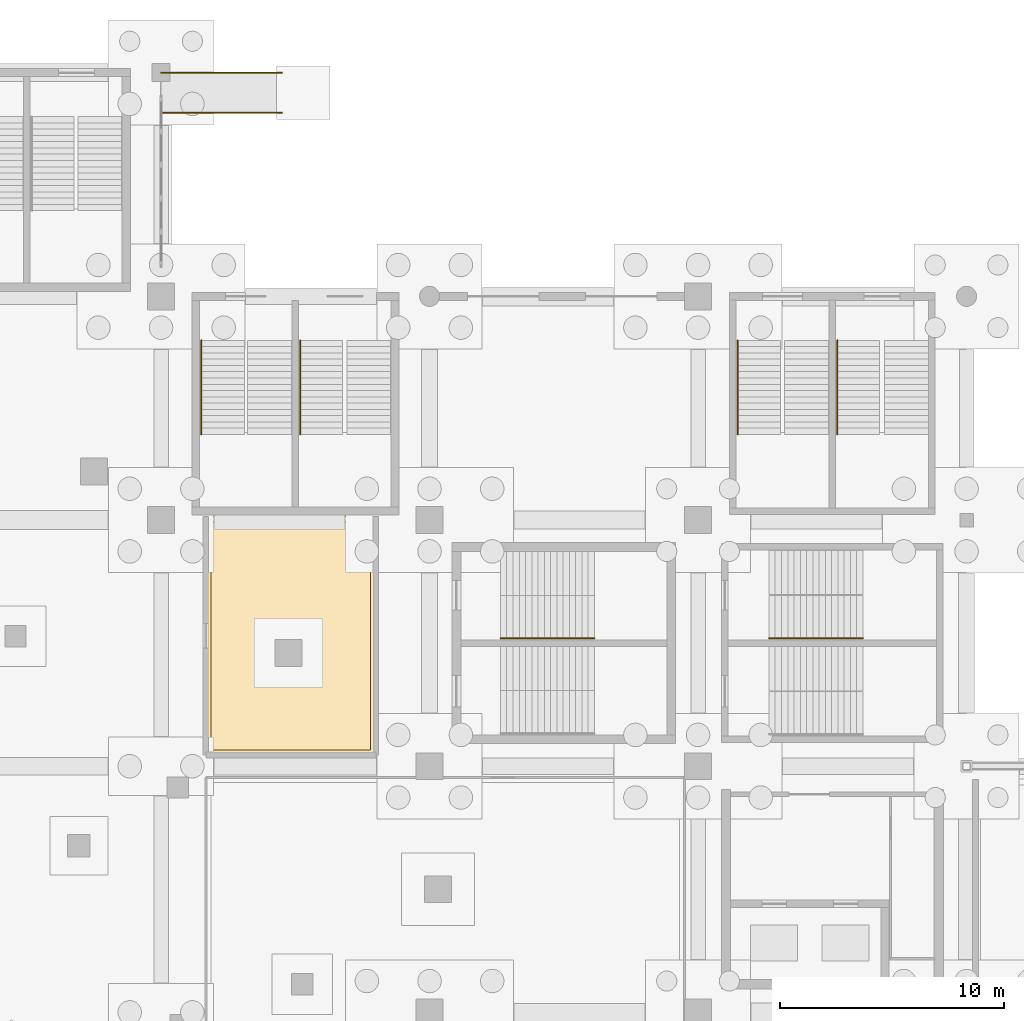
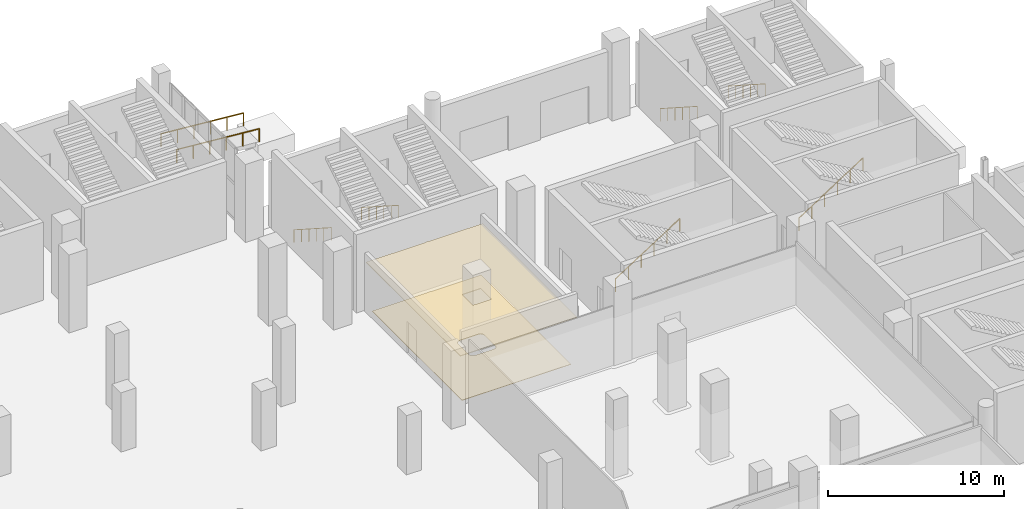
# One storey, part 69 of 70: 8 railings, 2 coverings.
"""IFC4 building model written with IfcOpenShell, lengths in metres."""

from ifc_helpers import new_model, si_unit, direction, frame, origin, origin_2d, place, context, subcontext, project, spatial, polyline, circle, outline, extrude, material, layer, layer_set, type_object, element, save


model = new_model("IFC4")

# Units and contexts
model_context = context("Model", 3, precision=1e-05, world=origin(), true_north=direction((0.0, 1.0)))
body_context = subcontext(model_context, "Body", "Model", "MODEL_VIEW")
ifc_project = project(units=[si_unit("LENGTHUNIT", "METRE"), si_unit("AREAUNIT", "SQUARE_METRE"), si_unit("VOLUMEUNIT", "CUBIC_METRE"), si_unit("PLANEANGLEUNIT", "RADIAN"), si_unit("MASSUNIT", "GRAM", prefix="KILO")], contexts=[model_context])

# Site, building, storey
site_placement = place(None, origin())
site = spatial("IfcSite", under=ifc_project, at=site_placement, CompositionType="ELEMENT")
building_placement = place(site_placement, origin())
building = spatial("IfcBuilding", under=site, at=building_placement, Name="Brinegate Civic Arena", CompositionType="ELEMENT")
storey_placement = place(building_placement, origin())
storey = spatial("IfcBuildingStorey", under=building, at=storey_placement, Name="L00", CompositionType="ELEMENT", Elevation=0.0)

# Coverings
ifc_material_1 = material(Name="Acoustic perforated aluminium ceiling", Category="aluminium")
ifc_layer_1 = layer(ifc_material_1, 0.044921875, Name="Acoustic perforated aluminium ceiling")
ifc_layer_set_1 = layer_set([ifc_layer_1], Name="Acoustic perforated aluminium ceiling")
covering_type_1 = type_object("IfcCoveringType", Name="CEILING-BAFFLE-45", PredefinedType="CEILING", material=ifc_layer_set_1)
covering_1_placement = place(storey_placement, frame((0.0, 0.0, 3.304931640625)))
element("IfcCovering", 1, at=covering_1_placement, inside=storey, type_object=covering_type_1, Name="Acoustic Ceiling L00-006", PredefinedType="CEILING", context=body_context, shape_type="SweptSolid", body=[
    extrude(outline(polyline([(141.6201171875, 93.49609375), (141.618896484375, 93.493896484375), (141.617919921875, 93.491943359375), (141.617919921875, 93.490966796875), (141.616943359375, 93.489013671875), (141.614990234375, 93.487060546875), (141.614013671875, 93.486083984375), (141.613037109375, 93.485107421875), (141.611083984375, 93.48291015625), (141.60888671875, 93.48193359375), (141.60791015625, 93.48193359375), (141.60595703125, 93.48095703125), (141.60400390625, 93.47998046875), (141.60205078125, 93.47998046875), (141.60009765625, 93.47998046875), (134.0, 93.47998046875), (133.998046875, 93.47998046875), (133.99609375, 93.47998046875), (133.993896484375, 93.48095703125), (133.991943359375, 93.48193359375), (133.990966796875, 93.48193359375), (133.989013671875, 93.48291015625), (133.987060546875, 93.485107421875), (133.986083984375, 93.486083984375), (133.985107421875, 93.487060546875), (133.98291015625, 93.489013671875), (133.98193359375, 93.490966796875), (133.98193359375, 93.491943359375), (133.98095703125, 93.493896484375), (133.97998046875, 93.49609375), (133.97998046875, 93.498046875), (133.97998046875, 93.5), (133.97998046875, 104.14990234375), (133.97998046875, 104.152099609375), (133.97998046875, 104.154052734375), (133.98095703125, 104.156005859375), (133.98193359375, 104.157958984375), (133.98193359375, 104.158935546875), (133.98291015625, 104.160888671875), (133.985107421875, 104.1630859375), (133.986083984375, 104.1640625), (133.987060546875, 104.1650390625), (133.989013671875, 104.1669921875), (133.990966796875, 104.16796875), (133.991943359375, 104.16796875), (133.993896484375, 104.1689453125), (133.99609375, 104.169921875), (133.998046875, 104.169921875), (134.0, 104.169921875), (137.85498046875, 104.169921875), (137.8779296875, 104.1708984375), (137.922119140625, 104.179931640625), (137.964111328125, 104.197998046875), (137.989013671875, 104.214111328125), (137.990966796875, 104.215087890625), (137.992919921875, 104.216064453125), (137.9951171875, 104.216064453125), (137.9970703125, 104.217041015625), (137.9990234375, 104.217041015625), (138.0009765625, 104.217041015625), (138.0029296875, 104.217041015625), (138.0048828125, 104.216064453125), (138.007080078125, 104.216064453125), (138.009033203125, 104.215087890625), (138.010986328125, 104.214111328125), (138.035888671875, 104.197998046875), (138.077880859375, 104.179931640625), (138.1220703125, 104.1708984375), (138.14501953125, 104.169921875), (141.60009765625, 104.169921875), (141.60205078125, 104.169921875), (141.60400390625, 104.169921875), (141.60595703125, 104.1689453125), (141.60791015625, 104.16796875), (141.60888671875, 104.16796875), (141.611083984375, 104.1669921875), (141.613037109375, 104.1650390625), (141.614013671875, 104.1640625), (141.614990234375, 104.1630859375), (141.616943359375, 104.160888671875), (141.617919921875, 104.158935546875), (141.617919921875, 104.157958984375), (141.618896484375, 104.156005859375), (141.6201171875, 104.154052734375), (141.6201171875, 104.152099609375), (141.6201171875, 104.14990234375), (141.6201171875, 93.5), (141.6201171875, 93.498046875), (141.6201171875, 93.49609375)]), holes=[polyline([(138.30810546875, 98.672119140625), (137.087890625, 98.672119140625), (137.087890625, 97.451904296875), (138.30810546875, 97.451904296875), (138.30810546875, 98.672119140625)])]), origin(), (0.0, 0.0, 1.0), 0.045166015625),
])
ifc_material_2 = material(Name="Polished coral terrazzo flooring")
ifc_layer_2 = layer(ifc_material_2, 0.028076171875, Name="Polished coral terrazzo flooring")
ifc_layer_set_2 = layer_set([ifc_layer_2], Name="Polished coral terrazzo flooring")
covering_type_2 = type_object("IfcCoveringType", Name="FLOORING-TERRAZZO-28", PredefinedType="FLOORING", material=ifc_layer_set_2)
covering_2_placement = place(storey_placement, origin())
element("IfcCovering", 2, at=covering_2_placement, inside=storey, type_object=covering_type_2, Name="Flooring L00-006", PredefinedType="FLOORING", context=body_context, shape_type="SweptSolid", body=[
    extrude(outline(polyline([(134.22998046875, 103.919921875), (137.85498046875, 103.919921875), (137.864990234375, 103.919921875), (137.887939453125, 103.9208984375), (137.907958984375, 103.923095703125), (137.928955078125, 103.926025390625), (137.972900390625, 103.93505859375), (137.99609375, 103.94189453125), (138.0, 103.943115234375), (138.00390625, 103.94189453125), (138.027099609375, 103.93505859375), (138.071044921875, 103.926025390625), (138.092041015625, 103.923095703125), (138.112060546875, 103.9208984375), (138.135009765625, 103.919921875), (138.14501953125, 103.919921875), (141.3701171875, 103.919921875), (141.3701171875, 93.72998046875), (134.22998046875, 93.72998046875), (134.22998046875, 103.919921875)]), holes=[polyline([(138.55810546875, 98.672119140625), (138.556884765625, 98.697021484375), (138.552978515625, 98.720947265625), (138.547119140625, 98.7451171875), (138.5390625, 98.76806640625), (138.528076171875, 98.7900390625), (138.51611328125, 98.81103515625), (138.5009765625, 98.8310546875), (138.485107421875, 98.84912109375), (138.467041015625, 98.864990234375), (138.447021484375, 98.8798828125), (138.426025390625, 98.89208984375), (138.404052734375, 98.903076171875), (138.381103515625, 98.910888671875), (138.35693359375, 98.9169921875), (138.3330078125, 98.9208984375), (138.30810546875, 98.922119140625), (137.087890625, 98.922119140625), (137.06298828125, 98.9208984375), (137.0390625, 98.9169921875), (137.014892578125, 98.910888671875), (136.991943359375, 98.903076171875), (136.969970703125, 98.89208984375), (136.948974609375, 98.8798828125), (136.928955078125, 98.864990234375), (136.910888671875, 98.84912109375), (136.89501953125, 98.8310546875), (136.8798828125, 98.81103515625), (136.867919921875, 98.7900390625), (136.85693359375, 98.76806640625), (136.84912109375, 98.7451171875), (136.843017578125, 98.720947265625), (136.839111328125, 98.697021484375), (136.837890625, 98.672119140625), (136.837890625, 97.451904296875), (136.839111328125, 97.427001953125), (136.843017578125, 97.403076171875), (136.84912109375, 97.37890625), (136.85693359375, 97.35595703125), (136.867919921875, 97.333984375), (136.8798828125, 97.31298828125), (136.89501953125, 97.29296875), (136.910888671875, 97.27490234375), (136.928955078125, 97.259033203125), (136.948974609375, 97.243896484375), (136.969970703125, 97.23193359375), (136.991943359375, 97.220947265625), (137.014892578125, 97.212890625), (137.0390625, 97.20703125), (137.06298828125, 97.202880859375), (137.087890625, 97.201904296875), (138.30810546875, 97.201904296875), (138.3330078125, 97.202880859375), (138.35693359375, 97.20703125), (138.381103515625, 97.212890625), (138.404052734375, 97.220947265625), (138.426025390625, 97.23193359375), (138.447021484375, 97.243896484375), (138.467041015625, 97.259033203125), (138.485107421875, 97.27490234375), (138.5009765625, 97.29296875), (138.51611328125, 97.31298828125), (138.528076171875, 97.333984375), (138.5390625, 97.35595703125), (138.547119140625, 97.37890625), (138.552978515625, 97.403076171875), (138.556884765625, 97.427001953125), (138.55810546875, 97.451904296875), (138.55810546875, 98.672119140625)])]), origin(), (0.0, 0.0, 1.0), 0.028076171875),
])

# Railings
ifc_material_3 = material(Name="Architectural stainless steel balustrade", Category="steel")
railing_type_1 = type_object("IfcRailingType", Name="RAIL-EXT-HANDRAIL-920", PredefinedType="HANDRAIL", material=ifc_material_3)
for number, where, name in (
    (3, (137.39990234375, 124.0, -0.449951171875), "Accessible Ramp Handrail RP-06-A"),
    (4, (137.39990234375, 122.199951171875, -0.449951171875), "Accessible Ramp Handrail RP-06-B"),
):
    element("IfcRailing", number, at=place(storey_placement, frame(where)), inside=storey, type_object=railing_type_1, Name=name, PredefinedType="HANDRAIL", context=body_context, shape_type="SweptSolid", body=[
        extrude(circle(Radius=0.02392578125, at=origin_2d()), frame((-0.00146484375, 0.0, 0.89599609375), z_axis=(-0.996546379678, 0.0, 0.083038022323), x_axis=(0.0, -1.0, 0.0)), (0.0, 0.0, 1.0), 5.41552734375),
        extrude(circle(Radius=0.02099609375, at=origin_2d()), origin(), (0.0, 0.0, 1.0), 0.869873046875),
        extrude(circle(Radius=0.02099609375, at=origin_2d()), frame((-1.080078125, 0.0, 0.090087890625)), (0.0, 0.0, 1.0), 0.869873046875),
        extrude(circle(Radius=0.02099609375, at=origin_2d()), frame((-2.159912109375, 0.0, 0.179931640625)), (0.0, 0.0, 1.0), 0.869873046875),
        extrude(circle(Radius=0.02099609375, at=origin_2d()), frame((-3.239990234375, 0.0, 0.27001953125)), (0.0, 0.0, 1.0), 0.869873046875),
        extrude(circle(Radius=0.02099609375, at=origin_2d()), frame((-4.31982421875, 0.0, 0.35986328125)), (0.0, 0.0, 1.0), 0.869873046875),
        extrude(circle(Radius=0.02099609375, at=origin_2d()), frame((-5.39990234375, 0.0, 0.449951171875)), (0.0, 0.0, 1.0), 0.869873046875),
    ])
railing_type_2 = type_object("IfcRailingType", Name="RAIL-STAIR-HANDRAIL-900", PredefinedType="HANDRAIL", material=ifc_material_3)
for number, where, name in (
    (5, (157.77490234375, 107.830078125, 2.699951171875), "Stair Pitch Handrail ST-05A L00"),
    (6, (162.22509765625, 107.830078125, 2.699951171875), "Stair Pitch Handrail ST-05B L00"),
    (7, (133.804931640625, 107.830078125, 2.699951171875), "Stair Pitch Handrail ST-13A L00"),
    (8, (138.22509765625, 107.830078125, 2.699951171875), "Stair Pitch Handrail ST-13B L00"),
):
    element("IfcRailing", number, at=place(storey_placement, frame(where)), inside=storey, type_object=railing_type_2, Name=name, PredefinedType="HANDRAIL", context=body_context, shape_type="SweptSolid", body=[
        extrude(circle(Radius=0.02392578125, at=origin_2d()), frame((0.0, 0.001220703125, 0.875), z_axis=(0.0, 0.841180064094, -0.540755119968), x_axis=(-1.0, 0.0, 0.0)), (0.0, 0.0, 1.0), 4.989990234375),
        extrude(circle(Radius=0.02099609375, at=origin_2d()), origin(), (0.0, 0.0, 1.0), 0.849853515625),
        extrude(circle(Radius=0.02099609375, at=origin_2d()), frame((0.0, 0.840087890625, -0.5400390625)), (0.0, 0.0, 1.0), 0.849853515625),
        extrude(circle(Radius=0.02099609375, at=origin_2d()), frame((0.0, 1.679931640625, -1.080078125)), (0.0, 0.0, 1.0), 0.849853515625),
        extrude(circle(Radius=0.02099609375, at=origin_2d()), frame((0.0, 2.52001953125, -1.619873046875)), (0.0, 0.0, 1.0), 0.849853515625),
        extrude(circle(Radius=0.02099609375, at=origin_2d()), frame((0.0, 3.35986328125, -2.159912109375)), (0.0, 0.0, 1.0), 0.849853515625),
        extrude(circle(Radius=0.02099609375, at=origin_2d()), frame((0.0, 4.199951171875, -2.699951171875)), (0.0, 0.0, 1.0), 0.849853515625),
    ])
for number, where, name in (
    (9, (147.169921875, 98.72509765625, 0.0), "Stair Pitch Handrail ST-18B L00"),
    (10, (159.169921875, 98.72509765625, 0.0), "Stair Pitch Handrail ST-20B L00"),
):
    element("IfcRailing", number, at=place(storey_placement, frame(where)), inside=storey, type_object=railing_type_2, Name=name, PredefinedType="HANDRAIL", context=body_context, shape_type="SweptSolid", body=[
        extrude(circle(Radius=0.02392578125, at=origin_2d()), frame((0.001220703125, 0.0, 0.876708984375), z_axis=(0.841194361566, 0.0, 0.540732878665), x_axis=(0.0, 1.0, 0.0)), (0.0, 0.0, 1.0), 4.990234375),
        extrude(circle(Radius=0.02099609375, at=origin_2d()), origin(), (0.0, 0.0, 1.0), 0.849853515625),
        extrude(circle(Radius=0.02099609375, at=origin_2d()), frame((0.840087890625, 0.0, 0.5400390625)), (0.0, 0.0, 1.0), 0.849853515625),
        extrude(circle(Radius=0.02099609375, at=origin_2d()), frame((1.68017578125, 0.0, 1.080078125)), (0.0, 0.0, 1.0), 0.849853515625),
        extrude(circle(Radius=0.02099609375, at=origin_2d()), frame((2.52001953125, 0.0, 1.619873046875)), (0.0, 0.0, 1.0), 0.849853515625),
        extrude(circle(Radius=0.02099609375, at=origin_2d()), frame((3.360107421875, 0.0, 2.159912109375)), (0.0, 0.0, 1.0), 0.849853515625),
        extrude(circle(Radius=0.02099609375, at=origin_2d()), frame((4.2001953125, 0.0, 2.699951171875)), (0.0, 0.0, 1.0), 0.849853515625),
    ])

save(model, "model.ifc")
